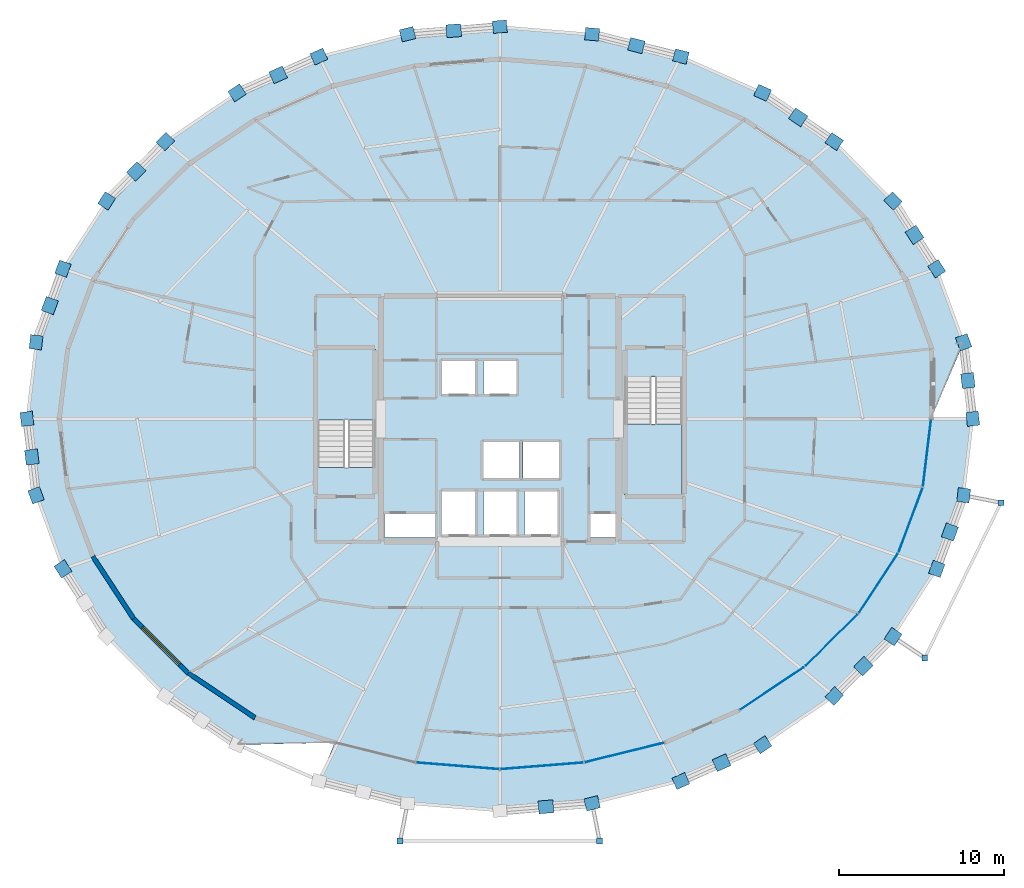
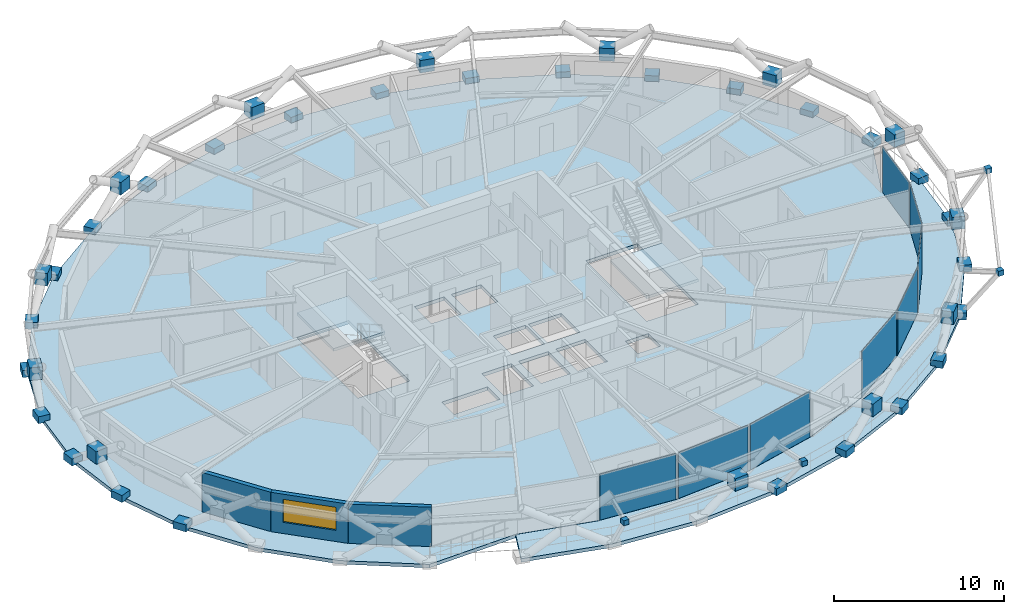
# One storey, part 13 of 21: 51 plates, 4 slabs, 3 walls, 1 window, 1 opening, 4 elements without a shape of their own.
"""IFC4 building model written with IfcOpenShell, lengths in metres."""

from ifc_helpers import new_model, si_unit, direction, frame, frame_2d, origin, origin_2d, place, context, subcontext, project, spatial, polyline, rectangle, outline, extrude, material, layer, layer_set, type_object, element, fill, aggregate, save


model = new_model("IFC4")

# Units and contexts
model_context = context("Model", 3, precision=1e-05, world=origin(), true_north=direction((0.0, 1.0)))
body_context = subcontext(model_context, "Body", "Model", "MODEL_VIEW")
ifc_project = project(units=[si_unit("LENGTHUNIT", "METRE"), si_unit("AREAUNIT", "SQUARE_METRE"), si_unit("VOLUMEUNIT", "CUBIC_METRE"), si_unit("PLANEANGLEUNIT", "RADIAN"), si_unit("MASSUNIT", "GRAM", prefix="KILO")], contexts=[model_context])

# Site, building, storey
site_placement = place(None, origin())
site = spatial("IfcSite", under=ifc_project, at=site_placement, CompositionType="ELEMENT")
building_placement = place(site_placement, origin())
building = spatial("IfcBuilding", under=site, at=building_placement, Name="Veldorina Hangang Commons", CompositionType="ELEMENT")
storey_placement = place(building_placement, frame((0.0, 0.0, 120.800048828125)))
storey = spatial("IfcBuildingStorey", under=building, at=storey_placement, Name="L30", CompositionType="ELEMENT", Elevation=120.800048828125)

# Curtain wall, plates
ifc_material_1 = material(Name="Glass Low-E Triple IGU", Category="glass")
ifc_layer_1 = layer(ifc_material_1, 0.179931640625)
ifc_layer_set_1 = layer_set([ifc_layer_1], Name="Glass Low-E Triple IGU")
curtain_wall_type = type_object("IfcCurtainWallType", Name="CW-SYS-Z2", PredefinedType="NOTDEFINED", material=ifc_layer_set_1)
curtain_wall_1_placement = place(storey_placement, origin())
curtain_wall_1 = element("IfcCurtainWall", 1, at=curtain_wall_1_placement, inside=storey, type_object=curtain_wall_type, Name="L30 unitised curtain wall CW-L30-R1", PredefinedType="NOTDEFINED")
ifc_layer_2 = layer(ifc_material_1, 0.0400390625)
ifc_layer_set_2 = layer_set([ifc_layer_2], Name="Glass Low-E Triple IGU")
plate_type_1 = type_object("IfcPlateType", Name="CW-PNL-VIS", PredefinedType="CURTAIN_PANEL", material=ifc_layer_set_2)
plate_1_placement = place(storey_placement, frame((29.449462890625, 2.957275390625, 0.01513671875), z_axis=(0.0, 0.0, 1.0), x_axis=(0.996812384655, -0.079781387545, 0.0)))
plate_1 = element("IfcPlate", 2, at=plate_1_placement, type_object=plate_type_1, Name="CW-L30-R1 facet 2 glazed vision panel", PredefinedType="CURTAIN_PANEL", context=body_context, shape_type="SweptSolid", body=[
    extrude(rectangle(XDim=4.937255859375, YDim=0.0400390625, at=origin_2d()), origin(), (0.0, 0.0, 1.0), 3.280029296875),
])
plate_2_placement = place(storey_placement, frame((34.550537109375, 2.957275390625, 0.01513671875), z_axis=(0.0, 0.0, 1.0), x_axis=(0.996812384655, 0.079781387545, 0.0)))
plate_2 = element("IfcPlate", 3, at=plate_2_placement, type_object=plate_type_1, Name="CW-L30-R1 facet 3 glazed vision panel", PredefinedType="CURTAIN_PANEL", context=body_context, shape_type="SweptSolid", body=[
    extrude(rectangle(XDim=4.937255859375, YDim=0.0400390625, at=origin_2d()), origin(), (0.0, 0.0, 1.0), 3.280029296875),
])
plate_3_placement = place(storey_placement, frame((39.553466796875, 3.765869140625, 0.01513671875), z_axis=(0.0, 0.0, 1.0), x_axis=(0.970942460014, 0.23931305719, 0.0)))
plate_3 = element("IfcPlate", 4, at=plate_3_placement, type_object=plate_type_1, Name="CW-L30-R1 facet 4 glazed vision panel", PredefinedType="CURTAIN_PANEL", context=body_context, shape_type="SweptSolid", body=[
    extrude(rectangle(XDim=4.871826171875, YDim=0.0400390625, at=origin_2d()), origin(), (0.0, 0.0, 1.0), 3.280029296875),
])
aggregate(curtain_wall_1, [plate_1, plate_2, plate_3])

curtain_wall_2_placement = place(storey_placement, origin())
curtain_wall_2 = element("IfcCurtainWall", 5, at=curtain_wall_2_placement, inside=storey, type_object=curtain_wall_type, Name="L30 unitised curtain wall CW-L30-R2", PredefinedType="NOTDEFINED")
plate_4_placement = place(storey_placement, frame((48.507568359375, 7.655029296875, 0.01513671875), z_axis=(0.0, 0.0, 1.0), x_axis=(0.831963805866, 0.554829907025, 0.0)))
plate_4 = element("IfcPlate", 6, at=plate_4_placement, type_object=plate_type_1, Name="CW-L30-R2 facet 1 glazed vision panel", PredefinedType="CURTAIN_PANEL", context=body_context, shape_type="SweptSolid", body=[
    extrude(rectangle(XDim=4.58251953125, YDim=0.0400390625, at=origin_2d()), origin(), (0.0, 0.0, 1.0), 3.280029296875),
])
plate_5_placement = place(storey_placement, frame((52.114501953125, 10.586181640625, 0.01513671875), z_axis=(0.0, 0.0, 1.0), x_axis=(0.710590741179, 0.703605570295, 0.0)))
plate_5 = element("IfcPlate", 7, at=plate_5_placement, type_object=plate_type_1, Name="CW-L30-R2 facet 2 glazed vision panel", PredefinedType="CURTAIN_PANEL", context=body_context, shape_type="SweptSolid", body=[
    extrude(rectangle(XDim=4.39599609375, YDim=0.0400390625, at=origin_2d()), origin(), (0.0, 0.0, 1.0), 3.280029296875),
])
plate_6_placement = place(storey_placement, frame((54.948486328125, 14.03271484375, 0.01513671875), z_axis=(0.0, 0.0, 1.0), x_axis=(0.549562444327, 0.835452643652, 0.0)))
plate_6 = element("IfcPlate", 8, at=plate_6_placement, type_object=plate_type_1, Name="CW-L30-R2 facet 3 glazed vision panel", PredefinedType="CURTAIN_PANEL", context=body_context, shape_type="SweptSolid", body=[
    extrude(rectangle(XDim=4.216796875, YDim=0.0400390625, at=origin_2d()), origin(), (0.0, 0.0, 1.0), 3.280029296875),
])
plate_7_placement = place(storey_placement, frame((56.900634765625, 17.862060546875, 0.01513671875), z_axis=(0.0, 0.0, 1.0), x_axis=(0.349733244023, 0.936849325145, 0.0)))
plate_7 = element("IfcPlate", 9, at=plate_7_placement, type_object=plate_type_1, Name="CW-L30-R2 facet 4 glazed vision panel", PredefinedType="CURTAIN_PANEL", context=body_context, shape_type="SweptSolid", body=[
    extrude(rectangle(XDim=4.074462890625, YDim=0.0400390625, at=origin_2d()), origin(), (0.0, 0.0, 1.0), 3.280029296875),
])
plate_8_placement = place(storey_placement, frame((57.895751953125, 21.927490234375, 0.01513671875), z_axis=(0.0, 0.0, 1.0), x_axis=(0.120327432347, 0.992734259016, 0.0)))
plate_8 = element("IfcPlate", 10, at=plate_8_placement, type_object=plate_type_1, Name="CW-L30-R2 facet 5 glazed vision panel", PredefinedType="CURTAIN_PANEL", context=body_context, shape_type="SweptSolid", body=[
    extrude(rectangle(XDim=3.995361328125, YDim=0.0400390625, at=origin_2d()), origin(), (0.0, 0.0, 1.0), 3.280029296875),
])
aggregate(curtain_wall_2, [plate_4, plate_5, plate_6, plate_7, plate_8])

# Plates
ifc_material_2 = material(Name="Steel SM460-TMC", Category="steel")
ifc_layer_3 = layer(ifc_material_2, 0.035888671875)
ifc_layer_set_3 = layer_set([ifc_layer_3], Name="Steel SM460-TMC")
plate_type_2 = type_object("IfcPlateType", Name="PL-STAR-36", PredefinedType="USERDEFINED", material=ifc_layer_set_3)
plate_9_placement = place(storey_placement, frame((60.6669921875, 24.0, -0.090087890625), z_axis=(0.0, 0.0, 1.0), x_axis=(-0.117953362677, 0.993019135885, 0.0)))
element("IfcPlate", 11, at=plate_9_placement, inside=storey, type_object=plate_type_2, Name="L30 diagrid star-node gusset plate 00", ObjectType="GUSSET PLATE", PredefinedType="USERDEFINED", context=body_context, shape_type="SweptSolid", body=[
    extrude(rectangle(XDim=0.85009765625, YDim=0.75, at=origin_2d()), origin(), (0.0, 0.0, 1.0), 0.5),
])
plate_10_placement = place(storey_placement, frame((60.37158203125, 26.31689453125, 1.35107421875), z_axis=(0.0, 0.0, 1.0), x_axis=(-0.117953362677, 0.993019135885, 0.0)))
element("IfcPlate", 12, at=plate_10_placement, inside=storey, type_object=plate_type_2, Name="L30 diagrid X-crossing star-node gusset plate 00", ObjectType="GUSSET PLATE", PredefinedType="USERDEFINED", context=body_context, shape_type="SweptSolid", body=[
    extrude(rectangle(XDim=0.89990234375, YDim=0.780029296875, at=origin_2d()), origin(), (0.0, 0.0, 1.0), 0.89990234375),
])
for number, where, z_axis, x_axis, name in (
    (13, (60.1162109375, 28.63671875, -0.090087890625), (0.0, 0.0, 1.0), (-0.343610523255, 0.939112244787, 0.0), "L30 diagrid star-node gusset plate 01"),
    (14, (58.48486328125, 33.09521484375, -0.090087890625), (0.0, 0.0, 1.0), (-0.541869577501, 0.840462587495, 0.0), "L30 diagrid star-node gusset plate 02"),
):
    element("IfcPlate", number, at=place(storey_placement, frame(where, z_axis=z_axis, x_axis=x_axis)), inside=storey, type_object=plate_type_2, Name=name, ObjectType="GUSSET PLATE", PredefinedType="USERDEFINED", context=body_context, shape_type="SweptSolid", body=[
        extrude(rectangle(XDim=0.85009765625, YDim=0.75, at=origin_2d()), origin(), (0.0, 0.0, 1.0), 0.5),
    ])
plate_11_placement = place(storey_placement, frame((57.142578125, 35.14306640625, 1.35107421875), z_axis=(0.0, 0.0, 1.0), x_axis=(-0.541869577501, 0.840462587495, 0.0)))
element("IfcPlate", 15, at=plate_11_placement, inside=storey, type_object=plate_type_2, Name="L30 diagrid X-crossing star-node gusset plate 02", ObjectType="GUSSET PLATE", PredefinedType="USERDEFINED", context=body_context, shape_type="SweptSolid", body=[
    extrude(rectangle(XDim=0.89990234375, YDim=0.780029296875, at=origin_2d()), origin(), (0.0, 0.0, 1.0), 0.89990234375),
])
for number, where, z_axis, x_axis, name in (
    (16, (55.835693359375, 37.2041015625, -0.090087890625), (0.0, 0.0, 1.0), (-0.703506346253, 0.710688976123, 0.0), "L30 diagrid star-node gusset plate 03"),
    (17, (52.2705078125, 40.8056640625, -0.090087890625), (0.0, 0.0, 1.0), (-0.826766518716, 0.562545219098, 0.0), "L30 diagrid star-node gusset plate 04"),
):
    element("IfcPlate", number, at=place(storey_placement, frame(where, z_axis=z_axis, x_axis=x_axis)), inside=storey, type_object=plate_type_2, Name=name, ObjectType="GUSSET PLATE", PredefinedType="USERDEFINED", context=body_context, shape_type="SweptSolid", body=[
        extrude(rectangle(XDim=0.85009765625, YDim=0.75, at=origin_2d()), origin(), (0.0, 0.0, 1.0), 0.5),
    ])
plate_12_placement = place(storey_placement, frame((50.0859375, 42.272705078125, 1.351318359375), z_axis=(0.0, 0.0, 1.0), x_axis=(-0.826766518716, 0.562545219098, 0.0)))
element("IfcPlate", 18, at=plate_12_placement, inside=storey, type_object=plate_type_2, Name="L30 diagrid X-crossing star-node gusset plate 04", ObjectType="GUSSET PLATE", PredefinedType="USERDEFINED", context=body_context, shape_type="SweptSolid", body=[
    extrude(rectangle(XDim=0.89990234375, YDim=0.780029296875, at=origin_2d()), origin(), (0.0, 0.0, 1.0), 0.89990234375),
])
for number, where, z_axis, x_axis, name in (
    (19, (47.926513671875, 43.761474609375, -0.090087890625), (0.0, 0.0, 1.0), (-0.91424688404, 0.40515754346, 0.0), "L30 diagrid star-node gusset plate 05"),
    (20, (42.970458984375, 45.957763671875, -0.090087890625), (0.0, 0.0, 1.0), (-0.969803947324, 0.243885841644, 0.0), "L30 diagrid star-node gusset plate 06"),
):
    element("IfcPlate", number, at=place(storey_placement, frame(where, z_axis=z_axis, x_axis=x_axis)), inside=storey, type_object=plate_type_2, Name=name, ObjectType="GUSSET PLATE", PredefinedType="USERDEFINED", context=body_context, shape_type="SweptSolid", body=[
        extrude(rectangle(XDim=0.85009765625, YDim=0.75, at=origin_2d()), origin(), (0.0, 0.0, 1.0), 0.5),
    ])
plate_13_placement = place(storey_placement, frame((40.275634765625, 46.62060546875, 1.351318359375), z_axis=(0.0, 0.0, 1.0), x_axis=(-0.969803947324, 0.243885841644, 0.0)))
element("IfcPlate", 21, at=plate_13_placement, inside=storey, type_object=plate_type_2, Name="L30 diagrid X-crossing star-node gusset plate 06", ObjectType="GUSSET PLATE", PredefinedType="USERDEFINED", context=body_context, shape_type="SweptSolid", body=[
    extrude(rectangle(XDim=0.89990234375, YDim=0.780029296875, at=origin_2d()), origin(), (0.0, 0.0, 1.0), 0.89990234375),
])
for number, where, z_axis, x_axis, name in (
    (22, (37.5927734375, 47.310302734375, -0.090087890625), (0.0, 0.0, 1.0), (-0.996682994472, 0.081381868556, 0.0), "L30 diagrid star-node gusset plate 07"),
    (23, (32.0, 47.766845703125, -0.090087890625), (0.0, 0.0, 1.0), (-0.996682994472, -0.081381868556, 0.0), "L30 diagrid star-node gusset plate 08"),
):
    element("IfcPlate", number, at=place(storey_placement, frame(where, z_axis=z_axis, x_axis=x_axis)), inside=storey, type_object=plate_type_2, Name=name, ObjectType="GUSSET PLATE", PredefinedType="USERDEFINED", context=body_context, shape_type="SweptSolid", body=[
        extrude(rectangle(XDim=0.85009765625, YDim=0.75, at=origin_2d()), origin(), (0.0, 0.0, 1.0), 0.5),
    ])
plate_14_placement = place(storey_placement, frame((29.20556640625, 47.5244140625, 1.351318359375), z_axis=(0.0, 0.0, 1.0), x_axis=(-0.996682994472, -0.081381868556, 0.0)))
element("IfcPlate", 24, at=plate_14_placement, inside=storey, type_object=plate_type_2, Name="L30 diagrid X-crossing star-node gusset plate 08", ObjectType="GUSSET PLATE", PredefinedType="USERDEFINED", context=body_context, shape_type="SweptSolid", body=[
    extrude(rectangle(XDim=0.89990234375, YDim=0.780029296875, at=origin_2d()), origin(), (0.0, 0.0, 1.0), 0.89990234375),
])
for number, where, z_axis, x_axis, name in (
    (25, (26.4072265625, 47.310302734375, -0.090087890625), (0.0, 0.0, 1.0), (-0.969803947324, -0.243885841644, 0.0), "L30 diagrid star-node gusset plate 09"),
    (26, (21.029541015625, 45.957763671875, -0.090087890625), (0.0, 0.0, 1.0), (-0.91424688404, -0.40515754346, 0.0), "L30 diagrid star-node gusset plate 10"),
):
    element("IfcPlate", number, at=place(storey_placement, frame(where, z_axis=z_axis, x_axis=x_axis)), inside=storey, type_object=plate_type_2, Name=name, ObjectType="GUSSET PLATE", PredefinedType="USERDEFINED", context=body_context, shape_type="SweptSolid", body=[
        extrude(rectangle(XDim=0.85009765625, YDim=0.75, at=origin_2d()), origin(), (0.0, 0.0, 1.0), 0.5),
    ])
plate_15_placement = place(storey_placement, frame((18.56103515625, 44.84716796875, 1.351318359375), z_axis=(0.0, 0.0, 1.0), x_axis=(-0.91424688404, -0.40515754346, 0.0)))
element("IfcPlate", 27, at=plate_15_placement, inside=storey, type_object=plate_type_2, Name="L30 diagrid X-crossing star-node gusset plate 10", ObjectType="GUSSET PLATE", PredefinedType="USERDEFINED", context=body_context, shape_type="SweptSolid", body=[
    extrude(rectangle(XDim=0.89990234375, YDim=0.780029296875, at=origin_2d()), origin(), (0.0, 0.0, 1.0), 0.89990234375),
])
for number, where, z_axis, x_axis, name in (
    (28, (16.073486328125, 43.761474609375, -0.090087890625), (0.0, 0.0, 1.0), (-0.826766518716, -0.562545219098, 0.0), "L30 diagrid star-node gusset plate 11"),
    (29, (11.7294921875, 40.8056640625, -0.090087890625), (0.0, 0.0, 1.0), (-0.703506346253, -0.710688976123, 0.0), "L30 diagrid star-node gusset plate 12"),
):
    element("IfcPlate", number, at=place(storey_placement, frame(where, z_axis=z_axis, x_axis=x_axis)), inside=storey, type_object=plate_type_2, Name=name, ObjectType="GUSSET PLATE", PredefinedType="USERDEFINED", context=body_context, shape_type="SweptSolid", body=[
        extrude(rectangle(XDim=0.85009765625, YDim=0.75, at=origin_2d()), origin(), (0.0, 0.0, 1.0), 0.5),
    ])
plate_16_placement = place(storey_placement, frame((9.96240234375, 38.995849609375, 1.351318359375), z_axis=(0.0, 0.0, 1.0), x_axis=(-0.703506346253, -0.710688976123, 0.0)))
element("IfcPlate", 30, at=plate_16_placement, inside=storey, type_object=plate_type_2, Name="L30 diagrid X-crossing star-node gusset plate 12", ObjectType="GUSSET PLATE", PredefinedType="USERDEFINED", context=body_context, shape_type="SweptSolid", body=[
    extrude(rectangle(XDim=0.89990234375, YDim=0.780029296875, at=origin_2d()), origin(), (0.0, 0.0, 1.0), 0.89990234375),
])
for number, where, z_axis, x_axis, name in (
    (31, (8.164306640625, 37.2041015625, -0.090087890625), (0.0, 0.0, 1.0), (-0.541869577501, -0.840462587495, 0.0), "L30 diagrid star-node gusset plate 13"),
    (32, (5.51513671875, 33.09521484375, -0.090087890625), (0.0, 0.0, 1.0), (-0.343610523255, -0.939112244787, 0.0), "L30 diagrid star-node gusset plate 14"),
):
    element("IfcPlate", number, at=place(storey_placement, frame(where, z_axis=z_axis, x_axis=x_axis)), inside=storey, type_object=plate_type_2, Name=name, ObjectType="GUSSET PLATE", PredefinedType="USERDEFINED", context=body_context, shape_type="SweptSolid", body=[
        extrude(rectangle(XDim=0.85009765625, YDim=0.75, at=origin_2d()), origin(), (0.0, 0.0, 1.0), 0.5),
    ])
plate_17_placement = place(storey_placement, frame((4.71875, 30.86181640625, 1.35107421875), z_axis=(0.0, 0.0, 1.0), x_axis=(-0.343610523255, -0.939112244787, 0.0)))
element("IfcPlate", 33, at=plate_17_placement, inside=storey, type_object=plate_type_2, Name="L30 diagrid X-crossing star-node gusset plate 14", ObjectType="GUSSET PLATE", PredefinedType="USERDEFINED", context=body_context, shape_type="SweptSolid", body=[
    extrude(rectangle(XDim=0.89990234375, YDim=0.780029296875, at=origin_2d()), origin(), (0.0, 0.0, 1.0), 0.89990234375),
])
for number, where, z_axis, x_axis, name in (
    (34, (3.8837890625, 28.63671875, -0.090087890625), (0.0, 0.0, 1.0), (-0.117953362677, -0.993019135885, 0.0), "L30 diagrid star-node gusset plate 15"),
    (35, (3.3330078125, 24.0, -0.090087890625), (0.0, 0.0, 1.0), (0.117953362677, -0.993019135885, 0.0), "L30 diagrid star-node gusset plate 16"),
):
    element("IfcPlate", number, at=place(storey_placement, frame(where, z_axis=z_axis, x_axis=x_axis)), inside=storey, type_object=plate_type_2, Name=name, ObjectType="GUSSET PLATE", PredefinedType="USERDEFINED", context=body_context, shape_type="SweptSolid", body=[
        extrude(rectangle(XDim=0.85009765625, YDim=0.75, at=origin_2d()), origin(), (0.0, 0.0, 1.0), 0.5),
    ])
plate_18_placement = place(storey_placement, frame((3.62841796875, 21.68310546875, 1.35107421875), z_axis=(0.0, 0.0, 1.0), x_axis=(0.117953362677, -0.993019135885, 0.0)))
element("IfcPlate", 36, at=plate_18_placement, inside=storey, type_object=plate_type_2, Name="L30 diagrid X-crossing star-node gusset plate 16", ObjectType="GUSSET PLATE", PredefinedType="USERDEFINED", context=body_context, shape_type="SweptSolid", body=[
    extrude(rectangle(XDim=0.89990234375, YDim=0.780029296875, at=origin_2d()), origin(), (0.0, 0.0, 1.0), 0.89990234375),
])
for number, where, z_axis, x_axis, name in (
    (37, (3.8837890625, 19.36328125, -0.090087890625), (0.0, 0.0, 1.0), (0.343610523255, -0.939112244787, 0.0), "L30 diagrid star-node gusset plate 17"),
    (38, (5.51513671875, 14.90478515625, -0.090087890625), (0.0, 0.0, 1.0), (0.541869577501, -0.840462587495, 0.0), "L30 diagrid star-node gusset plate 18"),
):
    element("IfcPlate", number, at=place(storey_placement, frame(where, z_axis=z_axis, x_axis=x_axis)), inside=storey, type_object=plate_type_2, Name=name, ObjectType="GUSSET PLATE", PredefinedType="USERDEFINED", context=body_context, shape_type="SweptSolid", body=[
        extrude(rectangle(XDim=0.85009765625, YDim=0.75, at=origin_2d()), origin(), (0.0, 0.0, 1.0), 0.5),
    ])
plate_19_placement = place(storey_placement, frame((34.79443359375, 0.4755859375, 1.351318359375), z_axis=(0.0, 0.0, 1.0), x_axis=(0.996682994472, 0.081381868556, 0.0)))
element("IfcPlate", 39, at=plate_19_placement, inside=storey, type_object=plate_type_2, Name="L30 diagrid X-crossing star-node gusset plate 24", ObjectType="GUSSET PLATE", PredefinedType="USERDEFINED", context=body_context, shape_type="SweptSolid", body=[
    extrude(rectangle(XDim=0.89990234375, YDim=0.780029296875, at=origin_2d()), origin(), (0.0, 0.0, 1.0), 0.89990234375),
])
for number, where, z_axis, x_axis, name in (
    (40, (37.5927734375, 0.689697265625, -0.090087890625), (0.0, 0.0, 1.0), (0.969803947324, 0.243885841644, 0.0), "L30 diagrid star-node gusset plate 25"),
    (41, (42.970458984375, 2.042236328125, -0.090087890625), (0.0, 0.0, 1.0), (0.91424688404, 0.40515754346, 0.0), "L30 diagrid star-node gusset plate 26"),
):
    element("IfcPlate", number, at=place(storey_placement, frame(where, z_axis=z_axis, x_axis=x_axis)), inside=storey, type_object=plate_type_2, Name=name, ObjectType="GUSSET PLATE", PredefinedType="USERDEFINED", context=body_context, shape_type="SweptSolid", body=[
        extrude(rectangle(XDim=0.85009765625, YDim=0.75, at=origin_2d()), origin(), (0.0, 0.0, 1.0), 0.5),
    ])
plate_20_placement = place(storey_placement, frame((45.43896484375, 3.15283203125, 1.351318359375), z_axis=(0.0, 0.0, 1.0), x_axis=(0.91424688404, 0.40515754346, 0.0)))
element("IfcPlate", 42, at=plate_20_placement, inside=storey, type_object=plate_type_2, Name="L30 diagrid X-crossing star-node gusset plate 26", ObjectType="GUSSET PLATE", PredefinedType="USERDEFINED", context=body_context, shape_type="SweptSolid", body=[
    extrude(rectangle(XDim=0.89990234375, YDim=0.780029296875, at=origin_2d()), origin(), (0.0, 0.0, 1.0), 0.89990234375),
])
for number, where, z_axis, x_axis, name in (
    (43, (47.926513671875, 4.238525390625, -0.090087890625), (0.0, 0.0, 1.0), (0.826766518716, 0.562545219098, 0.0), "L30 diagrid star-node gusset plate 27"),
    (44, (52.2705078125, 7.1943359375, -0.090087890625), (0.0, 0.0, 1.0), (0.703506346253, 0.710688976123, 0.0), "L30 diagrid star-node gusset plate 28"),
):
    element("IfcPlate", number, at=place(storey_placement, frame(where, z_axis=z_axis, x_axis=x_axis)), inside=storey, type_object=plate_type_2, Name=name, ObjectType="GUSSET PLATE", PredefinedType="USERDEFINED", context=body_context, shape_type="SweptSolid", body=[
        extrude(rectangle(XDim=0.85009765625, YDim=0.75, at=origin_2d()), origin(), (0.0, 0.0, 1.0), 0.5),
    ])
plate_21_placement = place(storey_placement, frame((54.03759765625, 9.004150390625, 1.351318359375), z_axis=(0.0, 0.0, 1.0), x_axis=(0.703506346253, 0.710688976123, 0.0)))
element("IfcPlate", 45, at=plate_21_placement, inside=storey, type_object=plate_type_2, Name="L30 diagrid X-crossing star-node gusset plate 28", ObjectType="GUSSET PLATE", PredefinedType="USERDEFINED", context=body_context, shape_type="SweptSolid", body=[
    extrude(rectangle(XDim=0.89990234375, YDim=0.780029296875, at=origin_2d()), origin(), (0.0, 0.0, 1.0), 0.89990234375),
])
for number, where, z_axis, x_axis, name in (
    (46, (55.835693359375, 10.7958984375, -0.090087890625), (0.0, 0.0, 1.0), (0.541869577501, 0.840462587495, 0.0), "L30 diagrid star-node gusset plate 29"),
    (47, (58.48486328125, 14.90478515625, -0.090087890625), (0.0, 0.0, 1.0), (0.343610523255, 0.939112244787, 0.0), "L30 diagrid star-node gusset plate 30"),
):
    element("IfcPlate", number, at=place(storey_placement, frame(where, z_axis=z_axis, x_axis=x_axis)), inside=storey, type_object=plate_type_2, Name=name, ObjectType="GUSSET PLATE", PredefinedType="USERDEFINED", context=body_context, shape_type="SweptSolid", body=[
        extrude(rectangle(XDim=0.85009765625, YDim=0.75, at=origin_2d()), origin(), (0.0, 0.0, 1.0), 0.5),
    ])
plate_22_placement = place(storey_placement, frame((59.28125, 17.13818359375, 1.35107421875), z_axis=(0.0, 0.0, 1.0), x_axis=(0.343610523255, 0.939112244787, 0.0)))
element("IfcPlate", 48, at=plate_22_placement, inside=storey, type_object=plate_type_2, Name="L30 diagrid X-crossing star-node gusset plate 30", ObjectType="GUSSET PLATE", PredefinedType="USERDEFINED", context=body_context, shape_type="SweptSolid", body=[
    extrude(rectangle(XDim=0.89990234375, YDim=0.780029296875, at=origin_2d()), origin(), (0.0, 0.0, 1.0), 0.89990234375),
])
plate_23_placement = place(storey_placement, frame((60.1162109375, 19.36328125, -0.090087890625), z_axis=(0.0, 0.0, 1.0), x_axis=(0.117953362677, 0.993019135885, 0.0)))
element("IfcPlate", 49, at=plate_23_placement, inside=storey, type_object=plate_type_2, Name="L30 diagrid star-node gusset plate 31", ObjectType="GUSSET PLATE", PredefinedType="USERDEFINED", context=body_context, shape_type="SweptSolid", body=[
    extrude(rectangle(XDim=0.85009765625, YDim=0.75, at=origin_2d()), origin(), (0.0, 0.0, 1.0), 0.5),
])
for number, where, z_axis, x_axis, name in (
    (50, (25.956787109375, -1.58740234375, 2.9951171875), (0.0, 0.0, 1.0), (1.0, 0.0, 0.0), "L31 tree balcony 1 strut end gusset A"),
    (51, (38.043212890625, -1.58740234375, 2.9951171875), (0.0, 0.0, 1.0), (1.0, 0.0, 0.0), "L31 tree balcony 1 strut end gusset B"),
    (52, (57.756103515625, 9.506103515625, 2.9951171875), (0.0, 0.0, 1.0), (1.0, 0.0, 0.0), "L31 tree balcony 2 strut end gusset A"),
    (53, (62.38134765625, 18.910400390625, 2.9951171875), (0.0, 0.0, 1.0), (1.0, 0.0, 0.0), "L31 tree balcony 2 strut end gusset B"),
):
    element("IfcPlate", number, at=place(storey_placement, frame(where, z_axis=z_axis, x_axis=x_axis)), inside=storey, type_object=plate_type_2, Name=name, ObjectType="GUSSET PLATE", PredefinedType="USERDEFINED", context=body_context, shape_type="SweptSolid", body=[
        extrude(rectangle(XDim=0.360107421875, YDim=0.360107421875, at=origin_2d()), origin(), (0.0, 0.0, 1.0), 0.360107421875),
    ])

# Slabs
ifc_material_3 = material(Name="Concrete C40/50", Category="concrete")
ifc_layer_4 = layer(ifc_material_3, 0.25)
ifc_layer_set_4 = layer_set([ifc_layer_4], Name="Concrete C40/50")
slab_type_1 = type_object("IfcSlabType", Name="SL-FLR-250", PredefinedType="FLOOR", material=ifc_layer_set_4)
slab_1_placement = place(storey_placement, frame((0.0, 0.0, -0.25)))
element("IfcSlab", 54, at=slab_1_placement, inside=storey, type_object=slab_type_1, Name="L30 tower structural floor slab", PredefinedType="FLOOR", context=body_context, shape_type="SweptSolid", body=[
    extrude(outline(polyline([(58.14697265625, 24.0), (60.1162109375, 28.63671875), (58.48486328125, 33.09521484375), (55.835693359375, 37.2041015625), (52.2705078125, 40.8056640625), (47.926513671875, 43.761474609375), (42.970458984375, 45.957763671875), (37.5927734375, 47.310302734375), (32.0, 47.766845703125), (26.4072265625, 47.310302734375), (21.029541015625, 45.957763671875), (16.073486328125, 43.761474609375), (11.7294921875, 40.8056640625), (8.164306640625, 37.2041015625), (5.51513671875, 33.09521484375), (3.8837890625, 28.63671875), (3.3330078125, 24.0), (3.8837890625, 19.36328125), (5.51513671875, 14.90478515625), (8.164306640625, 10.7958984375), (11.7294921875, 7.1943359375), (16.073486328125, 4.238525390625), (21.993896484375, 4.370361328125), (26.89892578125, 3.161376953125), (32.0, 2.753173828125), (37.10107421875, 3.161376953125), (42.006103515625, 4.370361328125), (46.526611328125, 6.333740234375), (50.48876953125, 8.976318359375), (53.740478515625, 12.19580078125), (56.15673828125, 15.869140625), (57.64453125, 19.85498046875), (58.14697265625, 24.0)]), holes=[polyline([(20.949951171875, 21.05810546875), (20.949951171875, 28.199951171875), (24.449951171875, 28.199951171875), (24.449951171875, 21.05810546875), (20.949951171875, 21.05810546875)]), polyline([(43.050048828125, 26.5419921875), (43.050048828125, 19.39990234375), (39.550048828125, 19.39990234375), (39.550048828125, 26.5419921875), (43.050048828125, 26.5419921875)]), polyline([(28.5, 27.5), (30.5, 27.5), (30.5, 25.5), (28.5, 25.5), (28.5, 27.5)]), polyline([(31.0, 27.5), (33.0, 27.5), (33.0, 25.5), (31.0, 25.5), (31.0, 27.5)]), polyline([(31.0, 22.60009765625), (33.199951171875, 22.60009765625), (33.199951171875, 20.39990234375), (31.0, 20.39990234375), (31.0, 22.60009765625)]), polyline([(33.39990234375, 22.60009765625), (35.60009765625, 22.60009765625), (35.60009765625, 20.39990234375), (33.39990234375, 20.39990234375), (33.39990234375, 22.60009765625)]), polyline([(28.5, 19.60009765625), (30.5, 19.60009765625), (30.5, 17.0), (28.5, 17.0), (28.5, 19.60009765625)]), polyline([(31.0, 19.60009765625), (33.0, 19.60009765625), (33.0, 17.0), (31.0, 17.0), (31.0, 19.60009765625)]), polyline([(33.5, 19.60009765625), (35.5, 19.60009765625), (35.5, 17.0), (33.5, 17.0), (33.5, 19.60009765625)]), polyline([(25.0, 18.25), (28.10009765625, 18.25), (28.10009765625, 16.800048828125), (25.0, 16.800048828125), (25.0, 18.25)]), polyline([(37.449951171875, 18.25), (39.0, 18.25), (39.0, 16.800048828125), (37.449951171875, 16.800048828125), (37.449951171875, 18.25)])]), origin(), (0.0, 0.0, 1.0), 0.25),
])
slab_2_placement = place(storey_placement, frame((0.0, 0.0, -0.25)))
element("IfcSlab", 55, at=slab_2_placement, inside=storey, type_object=slab_type_1, Name="L30 sky-garden loggia outdoor slab", PredefinedType="FLOOR", context=body_context, shape_type="SweptSolid", body=[
    extrude(outline(polyline([(60.6669921875, 24.0), (60.1162109375, 19.36328125), (58.48486328125, 14.90478515625), (55.835693359375, 10.7958984375), (52.2705078125, 7.1943359375), (47.926513671875, 4.238525390625), (42.970458984375, 2.042236328125), (37.5927734375, 0.689697265625), (32.0, 0.233154296875), (26.4072265625, 0.689697265625), (21.029541015625, 2.042236328125), (21.98779296875, 4.355224609375), (21.9921875, 4.35546875), (26.8955078125, 3.146728515625), (26.896484375, 3.146484375), (26.897705078125, 3.146484375), (31.998779296875, 2.738037109375), (32.0, 2.738037109375), (32.001220703125, 2.738037109375), (37.102294921875, 3.146484375), (37.103515625, 3.146484375), (37.1044921875, 3.146728515625), (42.009521484375, 4.355712890625), (42.0107421875, 4.356201171875), (42.011962890625, 4.356689453125), (46.532470703125, 6.320068359375), (46.53369140625, 6.320556640625), (46.534912109375, 6.3212890625), (50.4970703125, 8.963623046875), (50.498291015625, 8.964599609375), (50.499267578125, 8.965576171875), (53.7509765625, 12.185302734375), (53.751953125, 12.186279296875), (53.7529296875, 12.187744140625), (56.169189453125, 15.861083984375), (56.170166015625, 15.8623046875), (56.1708984375, 15.864013671875), (57.65869140625, 19.849609375), (57.6591796875, 19.851318359375), (57.659423828125, 19.85302734375), (58.16162109375, 23.99609375), (58.163330078125, 24.0), (60.6669921875, 24.0)])), origin(), (0.0, 0.0, 1.0), 0.25),
])

# Stair, slab
stair_type = type_object("IfcStairType", Name="STR-DOG-1650-20R", PredefinedType="HALF_TURN_STAIR", material=ifc_material_3)
stair_1_placement = place(storey_placement, origin())
stair_1 = element("IfcStair", 56, at=stair_1_placement, inside=storey, type_object=stair_type, Name="L30 Exit stair ST-1", PredefinedType="HALF_TURN_STAIR")
ifc_layer_5 = layer(ifc_material_3, 0.199951171875)
ifc_layer_set_5 = layer_set([ifc_layer_5], Name="Concrete C40/50")
slab_type_2 = type_object("IfcSlabType", Name="SL-LND-200", PredefinedType="LANDING", material=ifc_layer_set_5)
slab_3_placement = place(storey_placement, frame((0.0, 0.0, 1.599853515625)))
slab_3 = element("IfcSlab", 57, at=slab_3_placement, type_object=slab_type_2, Name="ST-1 landing 1", PredefinedType="LANDING", context=body_context, shape_type="SweptSolid", body=[
    extrude(outline(polyline([(24.449951171875, 23.929931640625), (24.449951171875, 28.199951171875), (20.949951171875, 28.199951171875), (20.949951171875, 23.929931640625), (24.449951171875, 23.929931640625)])), origin(), (0.0, 0.0, 1.0), 0.2001953125),
])
aggregate(stair_1, [slab_3])

stair_2_placement = place(storey_placement, origin())
stair_2 = element("IfcStair", 58, at=stair_2_placement, inside=storey, type_object=stair_type, Name="L30 Exit stair ST-2", PredefinedType="HALF_TURN_STAIR")
slab_4_placement = place(storey_placement, frame((0.0, 0.0, 1.599853515625)))
slab_4 = element("IfcSlab", 59, at=slab_4_placement, type_object=slab_type_2, Name="ST-2 landing 1", PredefinedType="LANDING", context=body_context, shape_type="SweptSolid", body=[
    extrude(outline(polyline([(39.550048828125, 23.669921875), (39.550048828125, 19.39990234375), (43.050048828125, 19.39990234375), (43.050048828125, 23.669921875), (39.550048828125, 23.669921875)])), origin(), (0.0, 0.0, 1.0), 0.2001953125),
])
aggregate(stair_2, [slab_4])

# Wall
ifc_material_4 = material(Name="Stone Roman Travertine", Category="masonry")
ifc_layer_6 = layer(ifc_material_4, 0.280029296875)
ifc_layer_set_6 = layer_set([ifc_layer_6], Name="Stone Roman Travertine")
wall_type = type_object("IfcWallType", Name="EW-TRAV-280", PredefinedType="STANDARD", material=ifc_layer_set_6)
wall_1_placement = place(storey_placement, frame((7.325927734375, 15.65478515625, 0.0), z_axis=(0.0, 0.0, 1.0), x_axis=(0.547716413999, -0.836664048371, 0.0)))
element("IfcWall", 60, at=wall_1_placement, inside=storey, type_object=wall_type, Name="L30 travertine facade wall 18", PredefinedType="STANDARD", context=body_context, shape_type="SweptSolid", body=[
    extrude(rectangle(XDim=4.506103515625, YDim=0.280029296875, at=frame_2d((2.2529296875, 0.0))), origin(), (0.0, 0.0, 1.0), 2.820068359375),
])

# Wall, opening, window
wall_2_placement = place(storey_placement, frame((9.7939453125, 11.884765625, 0.0), z_axis=(0.0, 0.0, 1.0), x_axis=(0.708876231206, -0.705332892208, 0.0)))
wall_2 = element("IfcWall", 61, at=wall_2_placement, inside=storey, type_object=wall_type, Name="L30 travertine facade wall 19", PredefinedType="STANDARD", context=body_context, shape_type="SweptSolid", body=[
    extrude(rectangle(XDim=4.685302734375, YDim=0.280029296875, at=frame_2d((2.3427734375, 0.0))), origin(), (0.0, 0.0, 1.0), 2.820068359375),
])
opening_placement = place(wall_2_placement, frame((0.74267578125, 0.0, 0.800048828125)))
opening = element("IfcOpeningElement", 62, at=opening_placement, cuts=wall_2, Name="Opening W-01", PredefinedType="OPENING", context=body_context, shape_type="SweptSolid", body=[
    extrude(rectangle(XDim=3.199951171875, YDim=1.64990234375, at=frame_2d((1.60009765625, 0.824951171875))), frame((0.0, 0.14990234375, 0.0), z_axis=(0.0, -1.0, 0.0), x_axis=(1.0, 0.0, 0.0)), (0.0, 0.0, 1.0), 0.300048828125),
])
window_type = type_object("IfcWindowType", Name="WIN-TWR-3200", PartitioningType="SINGLE_PANEL", PredefinedType="WINDOW", material=ifc_material_1)
window_placement = place(opening_placement, origin())
window = element("IfcWindow", 63, at=window_placement, inside=storey, type_object=window_type, Name="L30 facade window 19", OverallHeight=1.64990234375, OverallWidth=3.199951171875, PartitioningType="SINGLE_PANEL", PredefinedType="WINDOW", context=body_context, shape_type="SweptSolid", body=[
    extrude(rectangle(XDim=3.199951171875, YDim=1.64990234375, at=frame_2d((1.60009765625, 0.824951171875))), frame((0.0, 0.030029296875, 0.0), z_axis=(0.0, -1.0, 0.0), x_axis=(1.0, 0.0, 0.0)), (0.0, 0.0, 1.0), 0.06005859375),
])
fill(opening, window)

# Wall
wall_3_placement = place(storey_placement, frame((13.115234375, 8.580078125, 0.0), z_axis=(0.0, 0.0, 1.0), x_axis=(0.830737301714, -0.556664652678, 0.0)))
element("IfcWall", 64, at=wall_3_placement, inside=storey, type_object=wall_type, Name="L30 travertine facade wall 20", PredefinedType="STANDARD", context=body_context, shape_type="SweptSolid", body=[
    extrude(rectangle(XDim=4.871826171875, YDim=0.280029296875, at=frame_2d((2.43603515625, 0.0))), origin(), (0.0, 0.0, 1.0), 2.820068359375),
])

save(model, "model.ifc")
